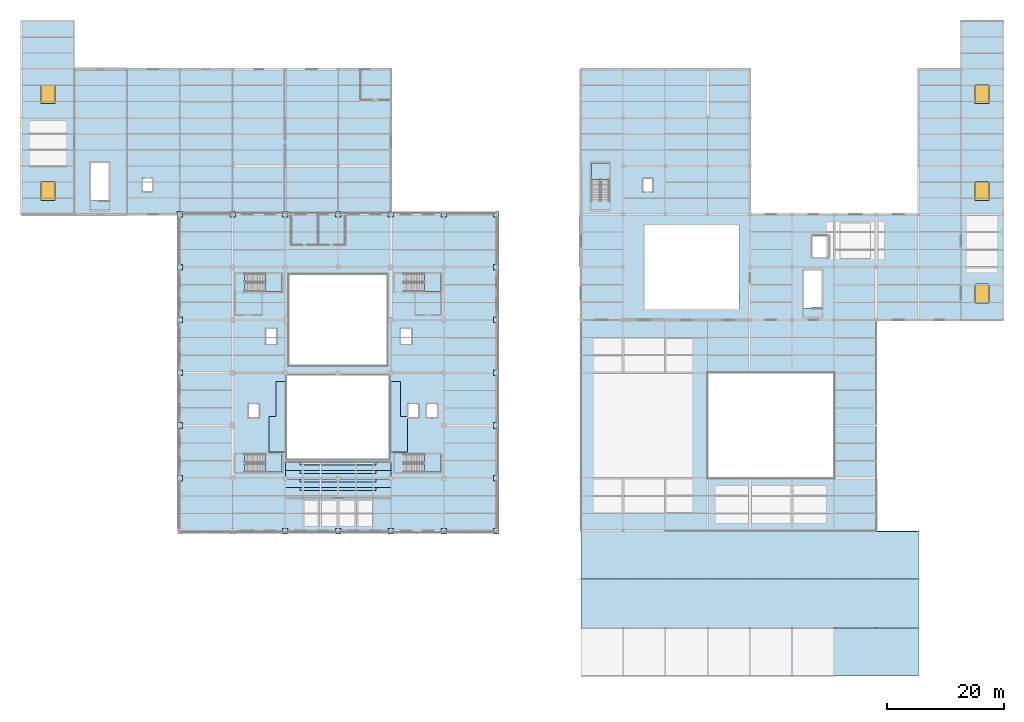
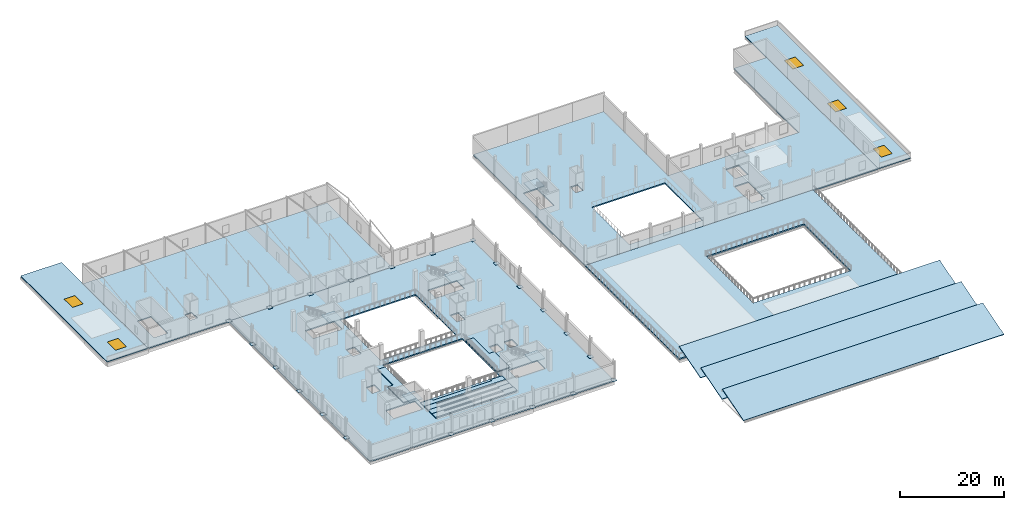
# One storey, part 21 of 54: 22 plates, 20 slabs, 5 windows, 5 openings, 5 elements without a shape of their own.
"""IFC4 building model written with IfcOpenShell, lengths in metres."""

from ifc_helpers import new_model, si_unit, direction, frame, origin, origin_2d, place, context, subcontext, project, spatial, polyline, rectangle, outline, extrude, material, layer, layer_set, type_object, element, fill, aggregate, save


model = new_model("IFC4")

# Units and contexts
model_context = context("Model", 3, precision=1e-05, world=origin(), true_north=direction((0.0, 1.0)))
body_context = subcontext(model_context, "Body", "Model", "MODEL_VIEW")
ifc_project = project(units=[si_unit("LENGTHUNIT", "METRE"), si_unit("AREAUNIT", "SQUARE_METRE"), si_unit("VOLUMEUNIT", "CUBIC_METRE"), si_unit("PLANEANGLEUNIT", "RADIAN"), si_unit("MASSUNIT", "GRAM", prefix="KILO")], contexts=[model_context])

# Site, building, storey
site_placement = place(None, origin())
site = spatial("IfcSite", under=ifc_project, at=site_placement, CompositionType="ELEMENT")
building_placement = place(site_placement, origin())
building = spatial("IfcBuilding", under=site, at=building_placement, Name="Sundgate Opera House", CompositionType="ELEMENT")
storey_placement = place(building_placement, frame((0.0, 0.0, 16.800048828125)))
storey = spatial("IfcBuildingStorey", under=building, at=storey_placement, Name="L03", CompositionType="ELEMENT", Elevation=16.800048828125)

# Plates
ifc_material_1 = material(Name="Steel S355J2", Category="steel")
ifc_layer_1 = layer(ifc_material_1, 0.02587890625)
ifc_layer_set_1 = layer_set([ifc_layer_1], Name="Steel S355J2")
plate_type_1 = type_object("IfcPlateType", Name="PT-BAS-26", PredefinedType="USERDEFINED", material=ifc_layer_set_1)
for number, where, z_axis, x_axis, name in (
    (1, (45.0, 87.0, 0.0), (0.0, 0.0, 1.0), (1.0, 0.0, 0.0), "L03 Base Plate PT0073"),
    (2, (81.0, 51.0, 0.0), (0.0, 0.0, 1.0), (1.0, 0.0, 0.0), "L03 Base Plate PT0149"),
):
    element("IfcPlate", number, at=place(storey_placement, frame(where, z_axis=z_axis, x_axis=x_axis)), inside=storey, type_object=plate_type_1, Name=name, ObjectType="BASE PLATE", PredefinedType="USERDEFINED", context=body_context, shape_type="SweptSolid", body=[
        extrude(rectangle(XDim=0.93994140625, YDim=0.93994140625, at=origin_2d()), origin(), (0.0, 0.0, 1.0), 0.02587890625),
    ])
ifc_material_2 = material(Name="Steel S355J2", Category="steel")
ifc_layer_2 = layer(ifc_material_2, 0.030029296875)
ifc_layer_set_2 = layer_set([ifc_layer_2], Name="Steel S355J2")
plate_type_2 = type_object("IfcPlateType", Name="PT-BAS-30", PredefinedType="USERDEFINED", material=ifc_layer_set_2)
for number, where, z_axis, x_axis, name in (
    (3, (54.0, 87.0, 0.0), (0.0, 0.0, 1.0), (1.0, 0.0, 0.0), "L03 Base Plate PT0089"),
    (4, (81.0, 60.0, 0.0), (0.0, 0.0, 1.0), (1.0, 0.0, 0.0), "L03 Base Plate PT0153"),
):
    element("IfcPlate", number, at=place(storey_placement, frame(where, z_axis=z_axis, x_axis=x_axis)), inside=storey, type_object=plate_type_2, Name=name, ObjectType="BASE PLATE", PredefinedType="USERDEFINED", context=body_context, shape_type="SweptSolid", body=[
        extrude(rectangle(XDim=0.93994140625, YDim=0.93994140625, at=origin_2d()), origin(), (0.0, 0.0, 1.0), 0.030029296875),
    ])
ifc_material_3 = material(Name="Steel S355J2", Category="steel")
ifc_layer_3 = layer(ifc_material_3, 0.033935546875)
ifc_layer_set_3 = layer_set([ifc_layer_3], Name="Steel S355J2")
plate_type_3 = type_object("IfcPlateType", Name="PT-BAS-34", PredefinedType="USERDEFINED", material=ifc_layer_set_3)
for number, where, z_axis, x_axis, name in (
    (5, (63.0, 87.0, 0.0), (0.0, 0.0, 1.0), (1.0, 0.0, 0.0), "L03 Base Plate PT0108"),
    (6, (81.0, 69.0, 0.0), (0.0, 0.0, 1.0), (1.0, 0.0, 0.0), "L03 Base Plate PT0158"),
):
    element("IfcPlate", number, at=place(storey_placement, frame(where, z_axis=z_axis, x_axis=x_axis)), inside=storey, type_object=plate_type_3, Name=name, ObjectType="BASE PLATE", PredefinedType="USERDEFINED", context=body_context, shape_type="SweptSolid", body=[
        extrude(rectangle(XDim=0.93994140625, YDim=0.93994140625, at=origin_2d()), origin(), (0.0, 0.0, 1.0), 0.033935546875),
    ])
ifc_material_4 = material(Name="Steel S355J2", Category="steel")
ifc_layer_4 = layer(ifc_material_4, 0.035888671875)
ifc_layer_set_4 = layer_set([ifc_layer_4], Name="Steel S355J2")
plate_type_4 = type_object("IfcPlateType", Name="PT-BAS-36", PredefinedType="USERDEFINED", material=ifc_layer_set_4)
for number, where, z_axis, x_axis, name in (
    (7, (27.0, 42.0, 0.0), (0.0, 0.0, 1.0), (1.0, 0.0, 0.0), "L03 Base Plate PT0014"),
    (8, (72.0, 87.0, 0.0), (0.0, 0.0, 1.0), (1.0, 0.0, 0.0), "L03 Base Plate PT0128"),
    (9, (81.0, 78.0, 0.0), (0.0, 0.0, 1.0), (1.0, 0.0, 0.0), "L03 Base Plate PT0163"),
):
    element("IfcPlate", number, at=place(storey_placement, frame(where, z_axis=z_axis, x_axis=x_axis)), inside=storey, type_object=plate_type_4, Name=name, ObjectType="BASE PLATE", PredefinedType="USERDEFINED", context=body_context, shape_type="SweptSolid", body=[
        extrude(rectangle(XDim=0.93994140625, YDim=0.93994140625, at=origin_2d()), origin(), (0.0, 0.0, 1.0), 0.035888671875),
    ])
ifc_material_5 = material(Name="Steel S355J2", Category="steel")
ifc_layer_5 = layer(ifc_material_5, 0.0400390625)
ifc_layer_set_5 = layer_set([ifc_layer_5], Name="Steel S355J2")
plate_type_5 = type_object("IfcPlateType", Name="PT-BAS-40", PredefinedType="USERDEFINED", material=ifc_layer_set_5)
for number, where, z_axis, x_axis, name in (
    (10, (27.0, 51.0, 0.0), (0.0, 0.0, 1.0), (1.0, 0.0, 0.0), "L03 Base Plate PT0018"),
    (11, (45.0, 33.0, 0.0), (0.0, 0.0, 1.0), (1.0, 0.0, 0.0), "L03 Base Plate PT0063"),
    (12, (81.0, 87.0, 0.0), (0.0, 0.0, 1.0), (1.0, 0.0, 0.0), "L03 Base Plate PT0168"),
):
    element("IfcPlate", number, at=place(storey_placement, frame(where, z_axis=z_axis, x_axis=x_axis)), inside=storey, type_object=plate_type_5, Name=name, ObjectType="BASE PLATE", PredefinedType="USERDEFINED", context=body_context, shape_type="SweptSolid", body=[
        extrude(rectangle(XDim=0.93994140625, YDim=0.93994140625, at=origin_2d()), origin(), (0.0, 0.0, 1.0), 0.0400390625),
    ])
ifc_material_6 = material(Name="Steel S355J2", Category="steel")
ifc_layer_6 = layer(ifc_material_6, 0.044921875)
ifc_layer_set_6 = layer_set([ifc_layer_6], Name="Steel S355J2")
plate_type_6 = type_object("IfcPlateType", Name="PT-BAS-45", PredefinedType="USERDEFINED", material=ifc_layer_set_6)
for number, where, z_axis, x_axis, name in (
    (13, (27.0, 60.0, 0.0), (0.0, 0.0, 1.0), (1.0, 0.0, 0.0), "L03 Base Plate PT0022"),
    (14, (54.0, 33.0, 0.0), (0.0, 0.0, 1.0), (1.0, 0.0, 0.0), "L03 Base Plate PT0081"),
):
    element("IfcPlate", number, at=place(storey_placement, frame(where, z_axis=z_axis, x_axis=x_axis)), inside=storey, type_object=plate_type_6, Name=name, ObjectType="BASE PLATE", PredefinedType="USERDEFINED", context=body_context, shape_type="SweptSolid", body=[
        extrude(rectangle(XDim=0.93994140625, YDim=0.93994140625, at=origin_2d()), origin(), (0.0, 0.0, 1.0), 0.044921875),
    ])
ifc_material_7 = material(Name="Steel S355J2", Category="steel")
ifc_layer_7 = layer(ifc_material_7, 0.050048828125)
ifc_layer_set_7 = layer_set([ifc_layer_7], Name="Steel S355J2")
plate_type_7 = type_object("IfcPlateType", Name="PT-BAS-50", PredefinedType="USERDEFINED", material=ifc_layer_set_7)
for number, where, z_axis, x_axis, name in (
    (15, (27.0, 69.0, 0.0), (0.0, 0.0, 1.0), (1.0, 0.0, 0.0), "L03 Base Plate PT0027"),
    (16, (63.0, 33.0, 0.0), (0.0, 0.0, 1.0), (1.0, 0.0, 0.0), "L03 Base Plate PT0097"),
):
    element("IfcPlate", number, at=place(storey_placement, frame(where, z_axis=z_axis, x_axis=x_axis)), inside=storey, type_object=plate_type_7, Name=name, ObjectType="BASE PLATE", PredefinedType="USERDEFINED", context=body_context, shape_type="SweptSolid", body=[
        extrude(rectangle(XDim=0.93994140625, YDim=0.93994140625, at=origin_2d()), origin(), (0.0, 0.0, 1.0), 0.050048828125),
    ])
ifc_material_8 = material(Name="Steel S355J2", Category="steel")
ifc_layer_8 = layer(ifc_material_8, 0.055908203125)
ifc_layer_set_8 = layer_set([ifc_layer_8], Name="Steel S355J2")
plate_type_8 = type_object("IfcPlateType", Name="PT-BAS-56", PredefinedType="USERDEFINED", material=ifc_layer_set_8)
for number, where, z_axis, x_axis, name in (
    (17, (36.0, 87.0, 0.0), (0.0, 0.0, 1.0), (1.0, 0.0, 0.0), "L03 Base Plate PT0055"),
    (18, (81.0, 42.0, 0.0), (0.0, 0.0, 1.0), (1.0, 0.0, 0.0), "L03 Base Plate PT0145"),
):
    element("IfcPlate", number, at=place(storey_placement, frame(where, z_axis=z_axis, x_axis=x_axis)), inside=storey, type_object=plate_type_8, Name=name, ObjectType="BASE PLATE", PredefinedType="USERDEFINED", context=body_context, shape_type="SweptSolid", body=[
        extrude(rectangle(XDim=0.93994140625, YDim=0.93994140625, at=origin_2d()), origin(), (0.0, 0.0, 1.0), 0.055908203125),
    ])
ifc_material_9 = material(Name="Steel S355J2", Category="steel")
ifc_layer_9 = layer(ifc_material_9, 0.06201171875)
ifc_layer_set_9 = layer_set([ifc_layer_9], Name="Steel S355J2")
plate_type_9 = type_object("IfcPlateType", Name="PT-BAS-62", PredefinedType="USERDEFINED", material=ifc_layer_set_9)
for number, where, z_axis, x_axis, name in (
    (19, (27.0, 87.0, 0.0), (0.0, 0.0, 1.0), (1.0, 0.0, 0.0), "L03 Base Plate PT0037"),
    (20, (81.0, 33.0, 0.0), (0.0, 0.0, 1.0), (1.0, 0.0, 0.0), "L03 Base Plate PT0141"),
):
    element("IfcPlate", number, at=place(storey_placement, frame(where, z_axis=z_axis, x_axis=x_axis)), inside=storey, type_object=plate_type_9, Name=name, ObjectType="BASE PLATE", PredefinedType="USERDEFINED", context=body_context, shape_type="SweptSolid", body=[
        extrude(rectangle(XDim=0.93994140625, YDim=0.93994140625, at=origin_2d()), origin(), (0.0, 0.0, 1.0), 0.06201171875),
    ])
ifc_material_10 = material(Name="Steel S355J2", Category="steel")
ifc_layer_10 = layer(ifc_material_10, 0.068115234375)
ifc_layer_set_10 = layer_set([ifc_layer_10], Name="Steel S355J2")
plate_type_10 = type_object("IfcPlateType", Name="PT-BAS-68", PredefinedType="USERDEFINED", material=ifc_layer_set_10)
for number, where, z_axis, x_axis, name in (
    (21, (27.0, 78.0, 0.0), (0.0, 0.0, 1.0), (1.0, 0.0, 0.0), "L03 Base Plate PT0032"),
    (22, (72.0, 33.0, 0.0), (0.0, 0.0, 1.0), (1.0, 0.0, 0.0), "L03 Base Plate PT0116"),
):
    element("IfcPlate", number, at=place(storey_placement, frame(where, z_axis=z_axis, x_axis=x_axis)), inside=storey, type_object=plate_type_10, Name=name, ObjectType="BASE PLATE", PredefinedType="USERDEFINED", context=body_context, shape_type="SweptSolid", body=[
        extrude(rectangle(XDim=0.93994140625, YDim=0.93994140625, at=origin_2d()), origin(), (0.0, 0.0, 1.0), 0.068115234375),
    ])

# Slabs
ifc_material_11 = material(Name="Concrete C40/50", Category="concrete")
ifc_layer_11 = layer(ifc_material_11, 0.31005859375)
ifc_layer_set_11 = layer_set([ifc_layer_11], Name="Concrete C40/50")
slab_type_1 = type_object("IfcSlabType", Name="SL-EXT-310", PredefinedType="FLOOR", material=ifc_layer_set_11)
slab_1_placement = place(storey_placement, frame((0.0, 0.0, -0.31005859375)))
element("IfcSlab", 23, at=slab_1_placement, inside=storey, type_object=slab_type_1, Name="Studio Intensive Green Roof Garden", PredefinedType="FLOOR", context=body_context, shape_type="SweptSolid", body=[
    extrude(outline(polyline([(95.39990234375, 33.0), (145.800048828125, 33.0), (145.800048828125, 69.0), (95.39990234375, 69.0), (95.39990234375, 33.0)]), holes=[polyline([(117.0, 60.0), (138.60009765625, 60.0), (138.60009765625, 42.0), (117.0, 42.0), (117.0, 60.0)])]), origin(), (0.0, 0.0, 1.0), 0.31005859375),
])
ifc_material_12 = material(Name="Concrete C35/45", Category="concrete")
ifc_layer_12 = layer(ifc_material_12, 0.239990234375)
ifc_layer_set_12 = layer_set([ifc_layer_12], Name="Concrete C35/45")
slab_type_2 = type_object("IfcSlabType", Name="SL-FLR-240", PredefinedType="FLOOR", material=ifc_layer_set_12)
slab_2_placement = place(storey_placement, frame((0.0, 0.0, -0.239990234375)))
element("IfcSlab", 24, at=slab_2_placement, inside=storey, type_object=slab_type_2, Name="L03 Structural Floor Slab V6", PredefinedType="FLOOR", context=body_context, shape_type="SweptSolid", body=[
    extrude(outline(polyline([(9.0, 87.0), (63.0, 87.0), (63.0, 111.75), (9.0, 111.75), (9.0, 87.0)]), holes=[polyline([(11.800048828125, 95.800048828125), (14.85009765625, 95.800048828125), (14.85009765625, 89.35009765625), (11.800048828125, 89.35009765625), (11.800048828125, 95.800048828125)]), polyline([(20.719970703125, 93.080078125), (22.280029296875, 93.080078125), (22.280029296875, 90.919921875), (20.719970703125, 90.919921875), (20.719970703125, 93.080078125)])]), origin(), (0.0, 0.0, 1.0), 0.239990234375),
])
ifc_material_13 = material(Name="Concrete C35/45", Category="concrete")
ifc_layer_13 = layer(ifc_material_13, 0.280029296875)
ifc_layer_set_13 = layer_set([ifc_layer_13], Name="Concrete C35/45")
slab_type_3 = type_object("IfcSlabType", Name="SL-FLR-280", PredefinedType="FLOOR", material=ifc_layer_set_13)
slab_3_placement = place(storey_placement, frame((0.0, 0.0, -0.280029296875)))
element("IfcSlab", 25, at=slab_3_placement, inside=storey, type_object=slab_type_3, Name="L03 Structural Floor Slab V1", PredefinedType="FLOOR", context=body_context, shape_type="SweptSolid", body=[
    extrude(outline(polyline([(27.0, 33.0), (81.0, 33.0), (81.0, 87.0), (27.0, 87.0), (27.0, 33.0)]), holes=[polyline([(45.199951171875, 59.60009765625), (62.800048828125, 59.60009765625), (62.800048828125, 45.199951171875), (45.199951171875, 45.199951171875), (45.199951171875, 59.60009765625)]), polyline([(45.60009765625, 76.800048828125), (62.39990234375, 76.800048828125), (62.39990234375, 61.199951171875), (45.60009765625, 61.199951171875), (45.60009765625, 76.800048828125)]), polyline([(38.050048828125, 46.10009765625), (44.449951171875, 46.10009765625), (44.449951171875, 43.050048828125), (38.050048828125, 43.050048828125), (38.050048828125, 46.10009765625)]), polyline([(38.050048828125, 76.89990234375), (44.449951171875, 76.89990234375), (44.449951171875, 73.85009765625), (38.050048828125, 73.85009765625), (38.050048828125, 76.89990234375)]), polyline([(65.14990234375, 46.10009765625), (71.550048828125, 46.10009765625), (71.550048828125, 43.050048828125), (65.14990234375, 43.050048828125), (65.14990234375, 46.10009765625)]), polyline([(65.14990234375, 76.89990234375), (71.550048828125, 76.89990234375), (71.550048828125, 73.85009765625), (65.14990234375, 73.85009765625), (65.14990234375, 76.89990234375)]), polyline([(65.919921875, 54.6298828125), (67.679931640625, 54.6298828125), (67.679931640625, 52.3701171875), (65.919921875, 52.3701171875), (65.919921875, 54.6298828125)]), polyline([(69.1201171875, 54.6298828125), (70.8798828125, 54.6298828125), (70.8798828125, 52.3701171875), (69.1201171875, 52.3701171875), (69.1201171875, 54.6298828125)]), polyline([(38.719970703125, 54.6298828125), (40.47998046875, 54.6298828125), (40.47998046875, 52.3701171875), (38.719970703125, 52.3701171875), (38.719970703125, 54.6298828125)]), polyline([(41.719970703125, 67.47998046875), (43.47998046875, 67.47998046875), (43.47998046875, 64.919921875), (41.719970703125, 64.919921875), (41.719970703125, 67.47998046875)]), polyline([(64.719970703125, 67.47998046875), (66.47998046875, 67.47998046875), (66.47998046875, 64.919921875), (64.719970703125, 64.919921875), (64.719970703125, 67.47998046875)])]), origin(), (0.0, 0.0, 1.0), 0.280029296875),
])
slab_4_placement = place(storey_placement, frame((0.0, 0.0, -0.280029296875)))
element("IfcSlab", 26, at=slab_4_placement, inside=storey, type_object=slab_type_3, Name="L03 Structural Floor Slab V4", PredefinedType="FLOOR", context=body_context, shape_type="SweptSolid", body=[
    extrude(outline(polyline([(95.39990234375, 69.0), (160.199951171875, 69.0), (160.199951171875, 111.75), (153.0, 111.75), (153.0, 87.0), (124.199951171875, 87.0), (124.199951171875, 111.75), (95.39990234375, 111.75), (95.39990234375, 69.0)]), holes=[polyline([(106.199951171875, 85.199951171875), (122.39990234375, 85.199951171875), (122.39990234375, 70.800048828125), (106.199951171875, 70.800048828125), (106.199951171875, 85.199951171875)]), polyline([(97.199951171875, 95.800048828125), (100.25, 95.800048828125), (100.25, 89.35009765625), (97.199951171875, 89.35009765625), (97.199951171875, 95.800048828125)]), polyline([(133.39990234375, 77.5), (136.449951171875, 77.5), (136.449951171875, 71.050048828125), (133.39990234375, 71.050048828125), (133.39990234375, 77.5)]), polyline([(106.02001953125, 93.080078125), (107.580078125, 93.080078125), (107.580078125, 90.919921875), (106.02001953125, 90.919921875), (106.02001953125, 93.080078125)]), polyline([(134.820068359375, 83.280029296875), (137.580078125, 83.280029296875), (137.580078125, 79.719970703125), (134.820068359375, 79.719970703125), (134.820068359375, 83.280029296875)])]), origin(), (0.0, 0.0, 1.0), 0.280029296875),
])

# Stair, slab
ifc_material_14 = material(Name="Concrete C35/45", Category="concrete")
stair_type = type_object("IfcStairType", Name="ST-HT-28R-1450", PredefinedType="HALF_TURN_STAIR", material=ifc_material_14)
stair_1_placement = place(storey_placement, origin())
stair_1 = element("IfcStair", 27, at=stair_1_placement, inside=storey, type_object=stair_type, Name="L03 Escape Stair ST-01", PredefinedType="HALF_TURN_STAIR")
ifc_material_15 = material(Name="Concrete C35/45", Category="concrete")
ifc_layer_14 = layer(ifc_material_15, 0.199951171875)
ifc_layer_set_14 = layer_set([ifc_layer_14], Name="Concrete C35/45")
slab_type_4 = type_object("IfcSlabType", Name="SL-LAND-200", PredefinedType="LANDING", material=ifc_layer_set_14)
slab_5_placement = place(storey_placement, frame((0.0, 0.0, 2.199951171875)))
slab_5 = element("IfcSlab", 28, at=slab_5_placement, type_object=slab_type_4, Name="ST01L03 Landing 1", PredefinedType="LANDING", context=body_context, shape_type="SweptSolid", body=[
    extrude(outline(polyline([(41.639892578125, 43.050048828125), (44.449951171875, 43.050048828125), (44.449951171875, 46.10009765625), (41.639892578125, 46.10009765625), (41.639892578125, 43.050048828125)])), origin(), (0.0, 0.0, 1.0), 0.199951171875),
])
aggregate(stair_1, [slab_5])

stair_2_placement = place(storey_placement, origin())
stair_2 = element("IfcStair", 29, at=stair_2_placement, inside=storey, type_object=stair_type, Name="L03 Escape Stair ST-02", PredefinedType="HALF_TURN_STAIR")
slab_6_placement = place(storey_placement, frame((0.0, 0.0, 2.199951171875)))
slab_6 = element("IfcSlab", 30, at=slab_6_placement, type_object=slab_type_4, Name="ST02L03 Landing 1", PredefinedType="LANDING", context=body_context, shape_type="SweptSolid", body=[
    extrude(outline(polyline([(41.639892578125, 73.85009765625), (44.449951171875, 73.85009765625), (44.449951171875, 76.89990234375), (41.639892578125, 76.89990234375), (41.639892578125, 73.85009765625)])), origin(), (0.0, 0.0, 1.0), 0.199951171875),
])
aggregate(stair_2, [slab_6])

stair_3_placement = place(storey_placement, origin())
stair_3 = element("IfcStair", 31, at=stair_3_placement, inside=storey, type_object=stair_type, Name="L03 Escape Stair ST-03", PredefinedType="HALF_TURN_STAIR")
slab_7_placement = place(storey_placement, frame((0.0, 0.0, 2.199951171875)))
slab_7 = element("IfcSlab", 32, at=slab_7_placement, type_object=slab_type_4, Name="ST03L03 Landing 1", PredefinedType="LANDING", context=body_context, shape_type="SweptSolid", body=[
    extrude(outline(polyline([(68.739990234375, 43.050048828125), (71.550048828125, 43.050048828125), (71.550048828125, 46.10009765625), (68.739990234375, 46.10009765625), (68.739990234375, 43.050048828125)])), origin(), (0.0, 0.0, 1.0), 0.199951171875),
])
aggregate(stair_3, [slab_7])

stair_4_placement = place(storey_placement, origin())
stair_4 = element("IfcStair", 33, at=stair_4_placement, inside=storey, type_object=stair_type, Name="L03 Escape Stair ST-04", PredefinedType="HALF_TURN_STAIR")
slab_8_placement = place(storey_placement, frame((0.0, 0.0, 2.199951171875)))
slab_8 = element("IfcSlab", 34, at=slab_8_placement, type_object=slab_type_4, Name="ST04L03 Landing 1", PredefinedType="LANDING", context=body_context, shape_type="SweptSolid", body=[
    extrude(outline(polyline([(68.739990234375, 73.85009765625), (71.550048828125, 73.85009765625), (71.550048828125, 76.89990234375), (68.739990234375, 76.89990234375), (68.739990234375, 73.85009765625)])), origin(), (0.0, 0.0, 1.0), 0.199951171875),
])
aggregate(stair_4, [slab_8])

stair_5_placement = place(storey_placement, origin())
stair_5 = element("IfcStair", 35, at=stair_5_placement, inside=storey, type_object=stair_type, Name="L03 Escape Stair ST-05", PredefinedType="HALF_TURN_STAIR")
slab_9_placement = place(storey_placement, frame((0.0, 0.0, 2.199951171875)))
slab_9 = element("IfcSlab", 36, at=slab_9_placement, type_object=slab_type_4, Name="ST05L03 Landing 1", PredefinedType="LANDING", context=body_context, shape_type="SweptSolid", body=[
    extrude(outline(polyline([(100.25, 92.93994140625), (100.25, 95.800048828125), (97.199951171875, 95.800048828125), (97.199951171875, 92.93994140625), (100.25, 92.93994140625)])), origin(), (0.0, 0.0, 1.0), 0.199951171875),
])
aggregate(stair_5, [slab_9])

# Slabs
ifc_material_16 = material(Name="Precast concrete C40/50", Category="concrete")
ifc_layer_15 = layer(ifc_material_16, 0.175048828125)
ifc_layer_set_15 = layer_set([ifc_layer_15], Name="Precast concrete C40/50")
slab_type_5 = type_object("IfcSlabType", Name="SL-ROOF-175", PredefinedType="ROOF", material=ifc_layer_set_15)
for number, where, z_axis, x_axis, name in (
    (37, (95.39990234375, 8.300048828125, 0.5), (0.0, -0.282477466139, 0.95927393435), (1.0, 0.0, 0.0), "V3 Sawtooth Shed Roof Slab SR057"),
    (38, (95.39990234375, 16.550048828125, 0.5), (0.0, -0.282477466139, 0.95927393435), (1.0, 0.0, 0.0), "V3 Sawtooth Shed Roof Slab SR058"),
    (39, (95.39990234375, 24.800048828125, 0.5), (0.0, -0.282477466139, 0.95927393435), (1.0, 0.0, 0.0), "V3 Sawtooth Shed Roof Slab SR059"),
):
    element("IfcSlab", number, at=place(storey_placement, frame(where, z_axis=z_axis, x_axis=x_axis)), inside=storey, type_object=slab_type_5, Name=name, PredefinedType="ROOF", context=body_context, shape_type="SweptSolid", body=[
        extrude(outline(polyline([(0.0, 0.0), (57.60009765625, 0.0), (57.60009765625, 8.495907218902435), (0.0, 8.495907218902435), (0.0, 0.0)])), origin(), (0.0, 0.0, -1.0), 0.175048828125),
    ])

# Slab, openings, windows
ifc_material_17 = material(Name="Concrete C35/45", Category="concrete")
ifc_layer_16 = layer(ifc_material_17, 0.22998046875)
ifc_layer_set_16 = layer_set([ifc_layer_16], Name="Concrete C35/45")
slab_type_6 = type_object("IfcSlabType", Name="SL-ROOF-230", PredefinedType="ROOF", material=ifc_layer_set_16)
slab_10_placement = place(storey_placement, frame((0.0, 0.0, -0.22998046875)))
slab_10 = element("IfcSlab", 40, at=slab_10_placement, inside=storey, type_object=slab_type_6, Name="L03 V4 East Step-Back Skylight Roof", PredefinedType="ROOF", context=body_context, shape_type="SweptSolid", body=[
    extrude(outline(polyline([(160.199951171875, 69.0), (167.39990234375, 69.0), (167.39990234375, 120.0), (160.199951171875, 120.0), (160.199951171875, 69.0)])), origin(), (0.0, 0.0, 1.0), 0.22998046875),
])
opening_1_placement = place(slab_10_placement, frame((163.800048828125, 73.5, 0.0)))
opening_1 = element("IfcOpeningElement", 41, at=opening_1_placement, cuts=slab_10, Name="Opening SK3", PredefinedType="OPENING", context=body_context, shape_type="SweptSolid", body=[
    extrude(rectangle(XDim=2.39990234375, YDim=3.199951171875, at=origin_2d()), origin(), (0.0, 0.0, 1.0), 0.22998046875),
])
opening_2_placement = place(slab_10_placement, frame((163.800048828125, 91.0, 0.0)))
opening_2 = element("IfcOpeningElement", 42, at=opening_2_placement, cuts=slab_10, Name="Opening SK3", PredefinedType="OPENING", context=body_context, shape_type="SweptSolid", body=[
    extrude(rectangle(XDim=2.39990234375, YDim=3.199951171875, at=origin_2d()), origin(), (0.0, 0.0, 1.0), 0.22998046875),
])
opening_3_placement = place(slab_10_placement, frame((163.800048828125, 107.5, 0.0)))
opening_3 = element("IfcOpeningElement", 43, at=opening_3_placement, cuts=slab_10, Name="Opening SK3", PredefinedType="OPENING", context=body_context, shape_type="SweptSolid", body=[
    extrude(rectangle(XDim=2.39990234375, YDim=3.199951171875, at=origin_2d()), origin(), (0.0, 0.0, 1.0), 0.22998046875),
])
ifc_material_18 = material(Name="Low-iron triple glazing in patinated bronze frame", Category="glass")
window_type = type_object("IfcWindowType", Name="SK-DAY-2400x3200", PartitioningType="SINGLE_PANEL", PredefinedType="SKYLIGHT", material=ifc_material_18)
window_1_placement = place(opening_1_placement, frame((0.0, 0.0, 0.179931640625)))
window_1 = element("IfcWindow", 44, at=window_1_placement, inside=storey, type_object=window_type, Name="L03 Roof Skylight WN0360", OverallHeight=3.199951171875, OverallWidth=2.39990234375, PartitioningType="SINGLE_PANEL", PredefinedType="SKYLIGHT", context=body_context, shape_type="SweptSolid", body=[
    extrude(rectangle(XDim=2.39990234375, YDim=3.199951171875, at=origin_2d()), origin(), (0.0, 0.0, 1.0), 0.050048828125),
])
fill(opening_1, window_1)
window_2_placement = place(opening_2_placement, frame((0.0, 0.0, 0.179931640625)))
window_2 = element("IfcWindow", 45, at=window_2_placement, inside=storey, type_object=window_type, Name="L03 Roof Skylight WN0361", OverallHeight=3.199951171875, OverallWidth=2.39990234375, PartitioningType="SINGLE_PANEL", PredefinedType="SKYLIGHT", context=body_context, shape_type="SweptSolid", body=[
    extrude(rectangle(XDim=2.39990234375, YDim=3.199951171875, at=origin_2d()), origin(), (0.0, 0.0, 1.0), 0.050048828125),
])
fill(opening_2, window_2)
window_3_placement = place(opening_3_placement, frame((0.0, 0.0, 0.179931640625)))
window_3 = element("IfcWindow", 46, at=window_3_placement, inside=storey, type_object=window_type, Name="L03 Roof Skylight WN0362", OverallHeight=3.199951171875, OverallWidth=2.39990234375, PartitioningType="SINGLE_PANEL", PredefinedType="SKYLIGHT", context=body_context, shape_type="SweptSolid", body=[
    extrude(rectangle(XDim=2.39990234375, YDim=3.199951171875, at=origin_2d()), origin(), (0.0, 0.0, 1.0), 0.050048828125),
])
fill(opening_3, window_3)

slab_11_placement = place(storey_placement, frame((0.0, 0.0, -0.22998046875)))
slab_11 = element("IfcSlab", 47, at=slab_11_placement, inside=storey, type_object=slab_type_6, Name="L03 V6 West Step-Back Skylight Roof", PredefinedType="ROOF", context=body_context, shape_type="SweptSolid", body=[
    extrude(outline(polyline([(0.0, 87.0), (9.0, 87.0), (9.0, 120.0), (0.0, 120.0), (0.0, 87.0)])), origin(), (0.0, 0.0, 1.0), 0.22998046875),
])
opening_4_placement = place(slab_11_placement, frame((4.5, 91.0, 0.0)))
opening_4 = element("IfcOpeningElement", 48, at=opening_4_placement, cuts=slab_11, Name="Opening SK3", PredefinedType="OPENING", context=body_context, shape_type="SweptSolid", body=[
    extrude(rectangle(XDim=2.39990234375, YDim=3.199951171875, at=origin_2d()), origin(), (0.0, 0.0, 1.0), 0.22998046875),
])
opening_5_placement = place(slab_11_placement, frame((4.5, 107.5, 0.0)))
opening_5 = element("IfcOpeningElement", 49, at=opening_5_placement, cuts=slab_11, Name="Opening SK3", PredefinedType="OPENING", context=body_context, shape_type="SweptSolid", body=[
    extrude(rectangle(XDim=2.39990234375, YDim=3.199951171875, at=origin_2d()), origin(), (0.0, 0.0, 1.0), 0.22998046875),
])
window_4_placement = place(opening_4_placement, frame((0.0, 0.0, 0.179931640625)))
window_4 = element("IfcWindow", 50, at=window_4_placement, inside=storey, type_object=window_type, Name="L03 Roof Skylight WN0363", OverallHeight=3.199951171875, OverallWidth=2.39990234375, PartitioningType="SINGLE_PANEL", PredefinedType="SKYLIGHT", context=body_context, shape_type="SweptSolid", body=[
    extrude(rectangle(XDim=2.39990234375, YDim=3.199951171875, at=origin_2d()), origin(), (0.0, 0.0, 1.0), 0.050048828125),
])
fill(opening_4, window_4)
window_5_placement = place(opening_5_placement, frame((0.0, 0.0, 0.179931640625)))
window_5 = element("IfcWindow", 51, at=window_5_placement, inside=storey, type_object=window_type, Name="L03 Roof Skylight WN0364", OverallHeight=3.199951171875, OverallWidth=2.39990234375, PartitioningType="SINGLE_PANEL", PredefinedType="SKYLIGHT", context=body_context, shape_type="SweptSolid", body=[
    extrude(rectangle(XDim=2.39990234375, YDim=3.199951171875, at=origin_2d()), origin(), (0.0, 0.0, 1.0), 0.050048828125),
])
fill(opening_5, window_5)

# Slabs
ifc_material_19 = material(Name="Precast concrete C40/50", Category="concrete")
ifc_layer_17 = layer(ifc_material_19, 0.18505859375)
ifc_layer_set_17 = layer_set([ifc_layer_17], Name="Precast concrete C40/50")
slab_type_7 = type_object("IfcSlabType", Name="SL-TIER-185", PredefinedType="USERDEFINED", material=ifc_layer_set_17)
slab_12_placement = place(storey_placement, origin())
element("IfcSlab", 52, at=slab_12_placement, inside=storey, type_object=slab_type_7, Name="L03 East Horseshoe Opera Box Tier", ObjectType="SEATING TIER", PredefinedType="USERDEFINED", context=body_context, shape_type="SweptSolid", body=[
    extrude(outline(polyline([(62.89990234375, 46.5), (65.800048828125, 46.5), (65.800048828125, 52.5), (64.60009765625, 52.5), (64.60009765625, 58.5), (62.89990234375, 58.5), (62.89990234375, 46.5)])), origin(), (0.0, 0.0, 1.0), 0.18505859375),
])
ifc_material_20 = material(Name="Precast concrete C40/50", Category="concrete")
ifc_layer_18 = layer(ifc_material_20, 0.205078125)
ifc_layer_set_18 = layer_set([ifc_layer_18], Name="Precast concrete C40/50")
slab_type_8 = type_object("IfcSlabType", Name="SL-TIER-205", PredefinedType="USERDEFINED", material=ifc_layer_set_18)
slab_13_placement = place(storey_placement, origin())
element("IfcSlab", 53, at=slab_13_placement, inside=storey, type_object=slab_type_8, Name="L03 Horseshoe Balcony Tier 4", ObjectType="SEATING TIER", PredefinedType="USERDEFINED", context=body_context, shape_type="SweptSolid", body=[
    extrude(outline(polyline([(45.0, 43.35009765625), (63.0, 43.35009765625), (63.0, 44.75), (60.5, 44.75), (60.5, 44.300048828125), (47.5, 44.300048828125), (47.5, 44.75), (45.0, 44.75), (45.0, 43.35009765625)])), origin(), (0.0, 0.0, 1.0), 0.204833984375),
])
slab_14_placement = place(storey_placement, origin())
element("IfcSlab", 54, at=slab_14_placement, inside=storey, type_object=slab_type_8, Name="L03 West Horseshoe Opera Box Tier", ObjectType="SEATING TIER", PredefinedType="USERDEFINED", context=body_context, shape_type="SweptSolid", body=[
    extrude(outline(polyline([(42.199951171875, 46.5), (45.10009765625, 46.5), (45.10009765625, 58.5), (43.39990234375, 58.5), (43.39990234375, 52.5), (42.199951171875, 52.5), (42.199951171875, 46.5)])), origin(), (0.0, 0.0, 1.0), 0.204833984375),
])
ifc_material_21 = material(Name="Precast concrete C40/50", Category="concrete")
ifc_layer_19 = layer(ifc_material_21, 0.22509765625)
ifc_layer_set_19 = layer_set([ifc_layer_19], Name="Precast concrete C40/50")
slab_type_9 = type_object("IfcSlabType", Name="SL-TIER-225", PredefinedType="USERDEFINED", material=ifc_layer_set_19)
slab_15_placement = place(storey_placement, origin())
element("IfcSlab", 55, at=slab_15_placement, inside=storey, type_object=slab_type_9, Name="L03 Horseshoe Balcony Tier 3", ObjectType="SEATING TIER", PredefinedType="USERDEFINED", context=body_context, shape_type="SweptSolid", body=[
    extrude(outline(polyline([(45.0, 41.89990234375), (63.0, 41.89990234375), (63.0, 43.300048828125), (60.5, 43.300048828125), (60.5, 42.85009765625), (47.5, 42.85009765625), (47.5, 43.300048828125), (45.0, 43.300048828125), (45.0, 41.89990234375)])), origin(), (0.0, 0.0, 1.0), 0.224853515625),
])
ifc_material_22 = material(Name="Precast concrete C40/50", Category="concrete")
ifc_layer_20 = layer(ifc_material_22, 0.2451171875)
ifc_layer_set_20 = layer_set([ifc_layer_20], Name="Precast concrete C40/50")
slab_type_10 = type_object("IfcSlabType", Name="SL-TIER-245", PredefinedType="USERDEFINED", material=ifc_layer_set_20)
slab_16_placement = place(storey_placement, origin())
element("IfcSlab", 56, at=slab_16_placement, inside=storey, type_object=slab_type_10, Name="L03 Horseshoe Balcony Tier 2", ObjectType="SEATING TIER", PredefinedType="USERDEFINED", context=body_context, shape_type="SweptSolid", body=[
    extrude(outline(polyline([(45.0, 40.449951171875), (63.0, 40.449951171875), (63.0, 41.85009765625), (60.5, 41.85009765625), (60.5, 41.39990234375), (47.5, 41.39990234375), (47.5, 41.85009765625), (45.0, 41.85009765625), (45.0, 40.449951171875)])), origin(), (0.0, 0.0, 1.0), 0.244873046875),
])
ifc_material_23 = material(Name="Precast concrete C40/50", Category="concrete")
ifc_layer_21 = layer(ifc_material_23, 0.264892578125)
ifc_layer_set_21 = layer_set([ifc_layer_21], Name="Precast concrete C40/50")
slab_type_11 = type_object("IfcSlabType", Name="SL-TIER-265", PredefinedType="USERDEFINED", material=ifc_layer_set_21)
slab_17_placement = place(storey_placement, origin())
element("IfcSlab", 57, at=slab_17_placement, inside=storey, type_object=slab_type_11, Name="L03 Horseshoe Balcony Tier 1", ObjectType="SEATING TIER", PredefinedType="USERDEFINED", context=body_context, shape_type="SweptSolid", body=[
    extrude(outline(polyline([(45.0, 39.0), (63.0, 39.0), (63.0, 40.39990234375), (60.5, 40.39990234375), (60.5, 39.949951171875), (47.5, 39.949951171875), (47.5, 40.39990234375), (45.0, 40.39990234375), (45.0, 39.0)])), origin(), (0.0, 0.0, 1.0), 0.264892578125),
])

save(model, "model.ifc")
